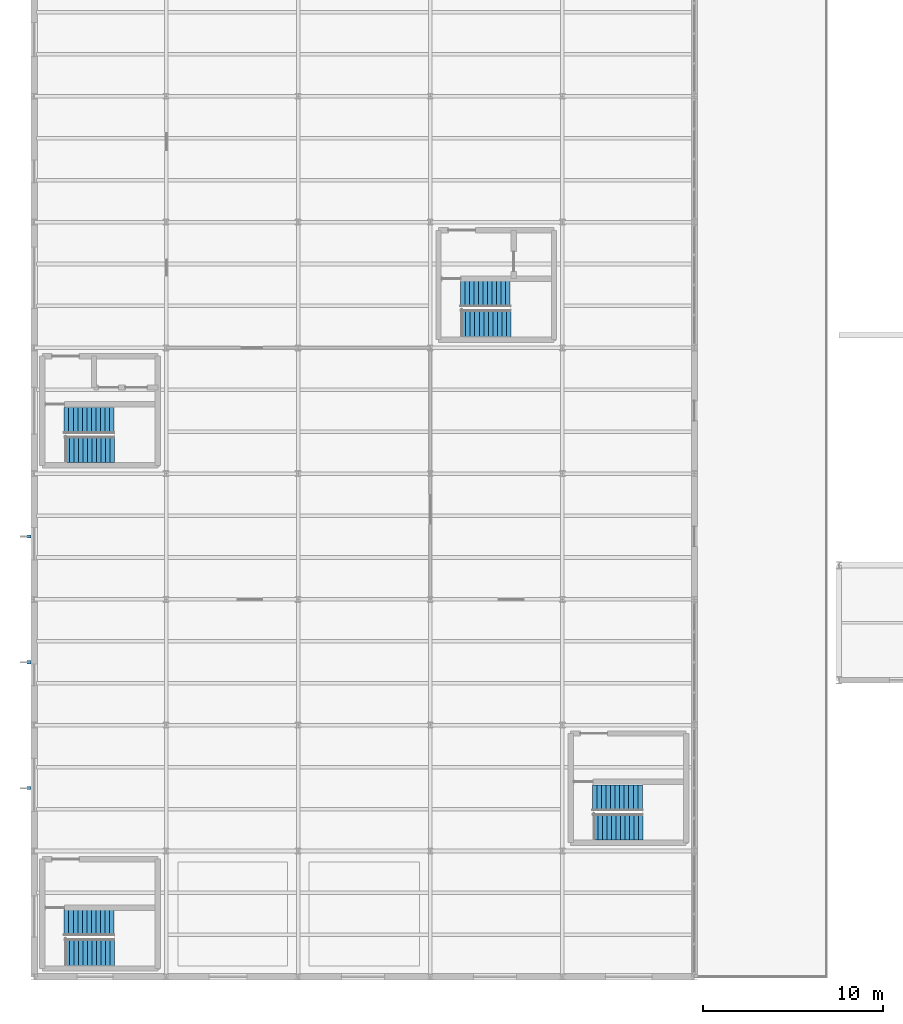
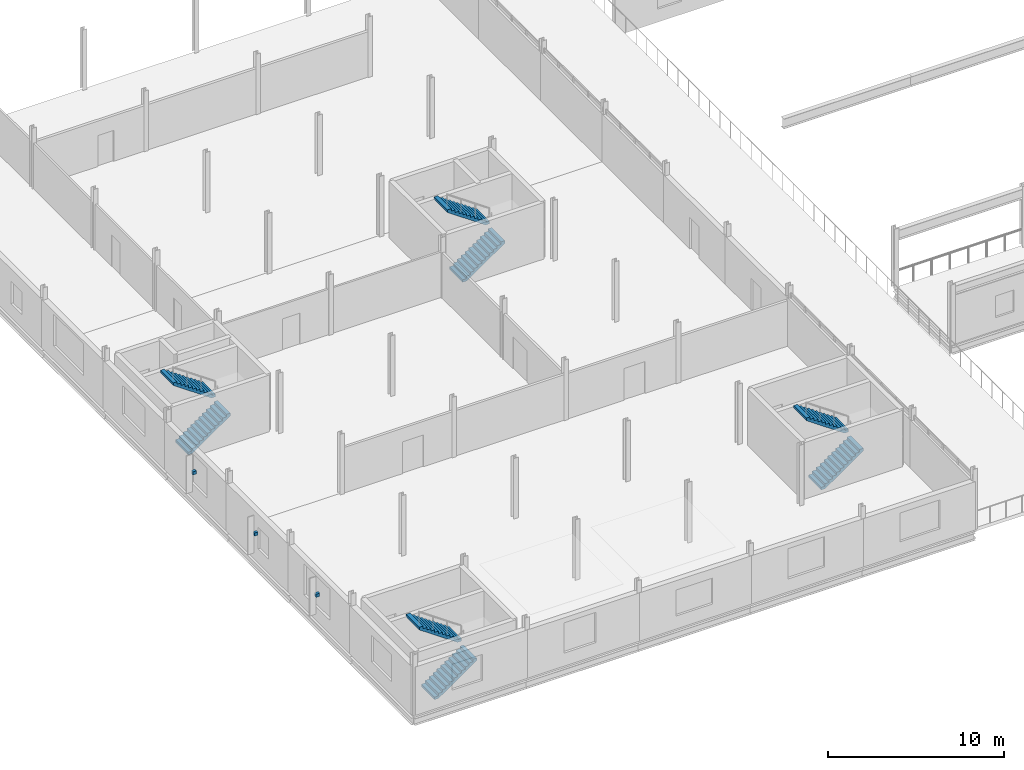
# One storey, part 35 of 39: 8 stair flights, 3 discrete accessories, 4 elements without a shape of their own.
"""IFC4 building model written with IfcOpenShell, lengths in metres."""

from ifc_helpers import new_model, si_unit, direction, frame, origin, origin_2d, place, context, subcontext, project, spatial, polyline, rectangle, outline, extrude, material, layer, layer_set, type_object, element, aggregate, save


model = new_model("IFC4")

# Units and contexts
model_context = context("Model", 3, precision=1e-05, world=origin(), true_north=direction((0.0, 1.0)))
body_context = subcontext(model_context, "Body", "Model", "MODEL_VIEW")
ifc_project = project(units=[si_unit("LENGTHUNIT", "METRE"), si_unit("AREAUNIT", "SQUARE_METRE"), si_unit("VOLUMEUNIT", "CUBIC_METRE"), si_unit("PLANEANGLEUNIT", "RADIAN"), si_unit("MASSUNIT", "GRAM", prefix="KILO")], contexts=[model_context])

# Site, building, storey
site_placement = place(None, origin())
site = spatial("IfcSite", under=ifc_project, at=site_placement, CompositionType="ELEMENT")
building_placement = place(site_placement, origin())
building = spatial("IfcBuilding", under=site, at=building_placement, Name="Kazenagashi Tramway Depot", CompositionType="ELEMENT")
storey_placement = place(building_placement, frame((0.0, 0.0, 11.1)))
storey = spatial("IfcBuildingStorey", under=building, at=storey_placement, Name="L03", CompositionType="ELEMENT", Elevation=11.1)

# Stair, stair flights
ifc_material_1 = material(Name="Concrete Fc36", Category="concrete")
stair_type = type_object("IfcStairType", Name="ST-T4", PredefinedType="USERDEFINED", material=ifc_material_1)
stair_1_placement = place(storey_placement, origin())
stair_1 = element("IfcStair", 1, at=stair_1_placement, inside=storey, type_object=stair_type, Name="Enclosed Escape Stair ST-03", ObjectType="TWO_RETURN_STAIR", PredefinedType="USERDEFINED")
ifc_layer_1 = layer(ifc_material_1, 0.18)
ifc_layer_set_1 = layer_set([ifc_layer_1], Name="Concrete Fc36")
stair_flight_type_1 = type_object("IfcStairFlightType", Name="SF-F01", PredefinedType="STRAIGHT", material=ifc_layer_set_1)
stair_flight_1_placement = place(storey_placement, frame((1.72, 29.345, 0.0), z_axis=(0.0, 0.0, 1.0), x_axis=(1.0, 0.0, 0.0)))
stair_flight_1 = element("IfcStairFlight", 2, at=stair_flight_1_placement, type_object=stair_flight_type_1, Name="ST-03 flight 1", NumberOfRisers=12, NumberOfTreads=11, PredefinedType="STRAIGHT", RiserHeight=0.175, TreadLength=0.252, context=body_context, shape_type="SweptSolid", body=[
    extrude(outline(polyline([(0.0, 0.0), (0.0, 0.175), (0.252, 0.175), (0.252, 0.35), (0.504, 0.35), (0.504, 0.525), (0.756, 0.525), (0.756, 0.7), (1.008, 0.7), (1.008, 0.875), (1.26, 0.875), (1.26, 1.05), (1.512, 1.05), (1.512, 1.225), (1.764, 1.225), (1.764, 1.4), (2.016, 1.4), (2.016, 1.575), (2.268, 1.575), (2.268, 1.75), (2.52, 1.75), (2.52, 1.925), (2.772, 1.925), (2.772, 2.1), (2.772, 1.742378), (0.262975, 0.0), (0.0, 0.0)])), frame((0.0, 0.725, 0.0), z_axis=(0.0, -1.0, 0.0), x_axis=(1.0, 0.0, 0.0)), (0.0, 0.0, 1.0), 1.45),
])
stair_flight_2_placement = place(storey_placement, frame((4.452, 30.955, 2.1), z_axis=(0.0, 0.0, 1.0), x_axis=(-1.0, 0.0, 0.0)))
stair_flight_2 = element("IfcStairFlight", 3, at=stair_flight_2_placement, type_object=stair_flight_type_1, Name="ST-03 flight 2", NumberOfRisers=12, NumberOfTreads=11, PredefinedType="STRAIGHT", RiserHeight=0.175, TreadLength=0.252, context=body_context, shape_type="SweptSolid", body=[
    extrude(outline(polyline([(0.0, 0.0), (0.0, 0.175), (0.252, 0.175), (0.252, 0.35), (0.504, 0.35), (0.504, 0.525), (0.756, 0.525), (0.756, 0.7), (1.008, 0.7), (1.008, 0.875), (1.26, 0.875), (1.26, 1.05), (1.512, 1.05), (1.512, 1.225), (1.764, 1.225), (1.764, 1.4), (2.016, 1.4), (2.016, 1.575), (2.268, 1.575), (2.268, 1.75), (2.52, 1.75), (2.52, 1.925), (2.772, 1.925), (2.772, 2.1), (2.772, 1.742378), (0.262975, 0.0), (0.0, 0.0)])), frame((0.0, 0.725, 0.0), z_axis=(0.0, -1.0, 0.0), x_axis=(1.0, 0.0, 0.0)), (0.0, 0.0, 1.0), 1.45),
])
aggregate(stair_1, [stair_flight_1, stair_flight_2])

stair_2_placement = place(storey_placement, origin())
stair_2 = element("IfcStair", 4, at=stair_2_placement, inside=storey, type_object=stair_type, Name="Enclosed Escape Stair ST-11", ObjectType="TWO_RETURN_STAIR", PredefinedType="USERDEFINED")
stair_flight_3_placement = place(storey_placement, frame((31.12, 8.345, 0.0), z_axis=(0.0, 0.0, 1.0), x_axis=(1.0, 0.0, 0.0)))
stair_flight_3 = element("IfcStairFlight", 5, at=stair_flight_3_placement, type_object=stair_flight_type_1, Name="ST-11 flight 1", NumberOfRisers=12, NumberOfTreads=11, PredefinedType="STRAIGHT", RiserHeight=0.175, TreadLength=0.252, context=body_context, shape_type="SweptSolid", body=[
    extrude(outline(polyline([(0.0, 0.0), (0.0, 0.175), (0.252, 0.175), (0.252, 0.35), (0.504, 0.35), (0.504, 0.525), (0.756, 0.525), (0.756, 0.7), (1.008, 0.7), (1.008, 0.875), (1.26, 0.875), (1.26, 1.05), (1.512, 1.05), (1.512, 1.225), (1.764, 1.225), (1.764, 1.4), (2.016, 1.4), (2.016, 1.575), (2.268, 1.575), (2.268, 1.75), (2.52, 1.75), (2.52, 1.925), (2.772, 1.925), (2.772, 2.1), (2.772, 1.742378), (0.262975, 0.0), (0.0, 0.0)])), frame((0.0, 0.725, 0.0), z_axis=(0.0, -1.0, 0.0), x_axis=(1.0, 0.0, 0.0)), (0.0, 0.0, 1.0), 1.45),
])
stair_flight_4_placement = place(storey_placement, frame((33.852, 9.955, 2.1), z_axis=(0.0, 0.0, 1.0), x_axis=(-1.0, 0.0, 0.0)))
stair_flight_4 = element("IfcStairFlight", 6, at=stair_flight_4_placement, type_object=stair_flight_type_1, Name="ST-11 flight 2", NumberOfRisers=12, NumberOfTreads=11, PredefinedType="STRAIGHT", RiserHeight=0.175, TreadLength=0.252, context=body_context, shape_type="SweptSolid", body=[
    extrude(outline(polyline([(0.0, 0.0), (0.0, 0.175), (0.252, 0.175), (0.252, 0.35), (0.504, 0.35), (0.504, 0.525), (0.756, 0.525), (0.756, 0.7), (1.008, 0.7), (1.008, 0.875), (1.26, 0.875), (1.26, 1.05), (1.512, 1.05), (1.512, 1.225), (1.764, 1.225), (1.764, 1.4), (2.016, 1.4), (2.016, 1.575), (2.268, 1.575), (2.268, 1.75), (2.52, 1.75), (2.52, 1.925), (2.772, 1.925), (2.772, 2.1), (2.772, 1.742378), (0.262975, 0.0), (0.0, 0.0)])), frame((0.0, 0.725, 0.0), z_axis=(0.0, -1.0, 0.0), x_axis=(1.0, 0.0, 0.0)), (0.0, 0.0, 1.0), 1.45),
])
aggregate(stair_2, [stair_flight_3, stair_flight_4])

stair_3_placement = place(storey_placement, origin())
stair_3 = element("IfcStair", 7, at=stair_3_placement, inside=storey, type_object=stair_type, Name="Enclosed Escape Stair ST-07", ObjectType="TWO_RETURN_STAIR", PredefinedType="USERDEFINED")
ifc_layer_2 = layer(ifc_material_1, 0.18)
ifc_layer_set_2 = layer_set([ifc_layer_2], Name="Concrete Fc36")
stair_flight_type_2 = type_object("IfcStairFlightType", Name="SF-F02", PredefinedType="STRAIGHT", material=ifc_layer_set_2)
stair_flight_5_placement = place(storey_placement, frame((23.77, 36.37, 0.0), z_axis=(0.0, 0.0, 1.0), x_axis=(1.0, 0.0, 0.0)))
stair_flight_5 = element("IfcStairFlight", 8, at=stair_flight_5_placement, type_object=stair_flight_type_2, Name="ST-07 flight 1", NumberOfRisers=12, NumberOfTreads=11, PredefinedType="STRAIGHT", RiserHeight=0.175, TreadLength=0.252, context=body_context, shape_type="SweptSolid", body=[
    extrude(outline(polyline([(0.0, 0.0), (0.0, 0.175), (0.252, 0.175), (0.252, 0.35), (0.504, 0.35), (0.504, 0.525), (0.756, 0.525), (0.756, 0.7), (1.008, 0.7), (1.008, 0.875), (1.26, 0.875), (1.26, 1.05), (1.512, 1.05), (1.512, 1.225), (1.764, 1.225), (1.764, 1.4), (2.016, 1.4), (2.016, 1.575), (2.268, 1.575), (2.268, 1.75), (2.52, 1.75), (2.52, 1.925), (2.772, 1.925), (2.772, 2.1), (2.772, 1.742378), (0.262975, 0.0), (0.0, 0.0)])), frame((0.0, 0.75, 0.0), z_axis=(0.0, -1.0, 0.0), x_axis=(1.0, 0.0, 0.0)), (0.0, 0.0, 1.0), 1.5),
])
stair_flight_6_placement = place(storey_placement, frame((26.502, 38.03, 2.1), z_axis=(0.0, 0.0, 1.0), x_axis=(-1.0, 0.0, 0.0)))
stair_flight_6 = element("IfcStairFlight", 9, at=stair_flight_6_placement, type_object=stair_flight_type_2, Name="ST-07 flight 2", NumberOfRisers=12, NumberOfTreads=11, PredefinedType="STRAIGHT", RiserHeight=0.175, TreadLength=0.252, context=body_context, shape_type="SweptSolid", body=[
    extrude(outline(polyline([(0.0, 0.0), (0.0, 0.175), (0.252, 0.175), (0.252, 0.35), (0.504, 0.35), (0.504, 0.525), (0.756, 0.525), (0.756, 0.7), (1.008, 0.7), (1.008, 0.875), (1.26, 0.875), (1.26, 1.05), (1.512, 1.05), (1.512, 1.225), (1.764, 1.225), (1.764, 1.4), (2.016, 1.4), (2.016, 1.575), (2.268, 1.575), (2.268, 1.75), (2.52, 1.75), (2.52, 1.925), (2.772, 1.925), (2.772, 2.1), (2.772, 1.742378), (0.262975, 0.0), (0.0, 0.0)])), frame((0.0, 0.75, 0.0), z_axis=(0.0, -1.0, 0.0), x_axis=(1.0, 0.0, 0.0)), (0.0, 0.0, 1.0), 1.5),
])
aggregate(stair_3, [stair_flight_5, stair_flight_6])

stair_4_placement = place(storey_placement, origin())
stair_4 = element("IfcStair", 10, at=stair_4_placement, inside=storey, type_object=stair_type, Name="Enclosed Escape Stair ST-14", ObjectType="TWO_RETURN_STAIR", PredefinedType="USERDEFINED")
stair_flight_7_placement = place(storey_placement, frame((1.72, 1.37, 0.0), z_axis=(0.0, 0.0, 1.0), x_axis=(1.0, 0.0, 0.0)))
stair_flight_7 = element("IfcStairFlight", 11, at=stair_flight_7_placement, type_object=stair_flight_type_2, Name="ST-14 flight 1", NumberOfRisers=12, NumberOfTreads=11, PredefinedType="STRAIGHT", RiserHeight=0.175, TreadLength=0.252, context=body_context, shape_type="SweptSolid", body=[
    extrude(outline(polyline([(0.0, 0.0), (0.0, 0.175), (0.252, 0.175), (0.252, 0.35), (0.504, 0.35), (0.504, 0.525), (0.756, 0.525), (0.756, 0.7), (1.008, 0.7), (1.008, 0.875), (1.26, 0.875), (1.26, 1.05), (1.512, 1.05), (1.512, 1.225), (1.764, 1.225), (1.764, 1.4), (2.016, 1.4), (2.016, 1.575), (2.268, 1.575), (2.268, 1.75), (2.52, 1.75), (2.52, 1.925), (2.772, 1.925), (2.772, 2.1), (2.772, 1.742378), (0.262975, 0.0), (0.0, 0.0)])), frame((0.0, 0.75, 0.0), z_axis=(0.0, -1.0, 0.0), x_axis=(1.0, 0.0, 0.0)), (0.0, 0.0, 1.0), 1.5),
])
stair_flight_8_placement = place(storey_placement, frame((4.452, 3.03, 2.1), z_axis=(0.0, 0.0, 1.0), x_axis=(-1.0, 0.0, 0.0)))
stair_flight_8 = element("IfcStairFlight", 12, at=stair_flight_8_placement, type_object=stair_flight_type_2, Name="ST-14 flight 2", NumberOfRisers=12, NumberOfTreads=11, PredefinedType="STRAIGHT", RiserHeight=0.175, TreadLength=0.252, context=body_context, shape_type="SweptSolid", body=[
    extrude(outline(polyline([(0.0, 0.0), (0.0, 0.175), (0.252, 0.175), (0.252, 0.35), (0.504, 0.35), (0.504, 0.525), (0.756, 0.525), (0.756, 0.7), (1.008, 0.7), (1.008, 0.875), (1.26, 0.875), (1.26, 1.05), (1.512, 1.05), (1.512, 1.225), (1.764, 1.225), (1.764, 1.4), (2.016, 1.4), (2.016, 1.575), (2.268, 1.575), (2.268, 1.75), (2.52, 1.75), (2.52, 1.925), (2.772, 1.925), (2.772, 2.1), (2.772, 1.742378), (0.262975, 0.0), (0.0, 0.0)])), frame((0.0, 0.75, 0.0), z_axis=(0.0, -1.0, 0.0), x_axis=(1.0, 0.0, 0.0)), (0.0, 0.0, 1.0), 1.5),
])
aggregate(stair_4, [stair_flight_7, stair_flight_8])

# Discrete accessories
ifc_material_2 = material(Name="Steel SN400B", Category="steel")
discrete_accessory_type = type_object("IfcDiscreteAccessoryType", Name="BK-01", PredefinedType="BRACKET", material=ifc_material_2)
for number, where, z_axis, x_axis, name in (
    (13, (-0.28, 10.5, 1.89), (0.0, 0.0, 1.0), (1.0, 0.0, 0.0), "Solar Fin Mounting Bracket 6"),
    (14, (-0.28, 17.5, 1.89), (0.0, 0.0, 1.0), (1.0, 0.0, 0.0), "Solar Fin Mounting Bracket 7"),
    (15, (-0.28, 24.5, 1.89), (0.0, 0.0, 1.0), (1.0, 0.0, 0.0), "Solar Fin Mounting Bracket 8"),
):
    element("IfcDiscreteAccessory", number, at=place(storey_placement, frame(where, z_axis=z_axis, x_axis=x_axis)), inside=storey, type_object=discrete_accessory_type, Name=name, PredefinedType="BRACKET", context=body_context, shape_type="SweptSolid", body=[
        extrude(rectangle(XDim=0.24, YDim=0.18, at=origin_2d()), origin(), (0.0, 0.0, 1.0), 0.22),
    ])

save(model, "model.ifc")
